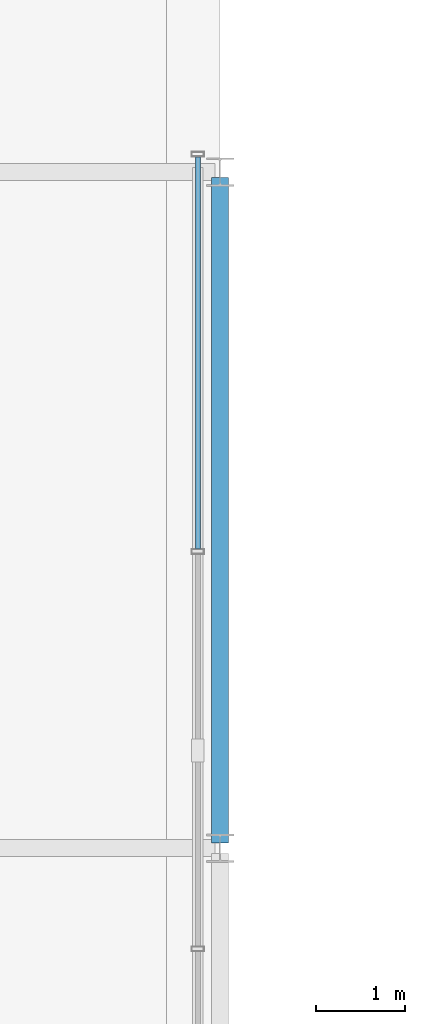
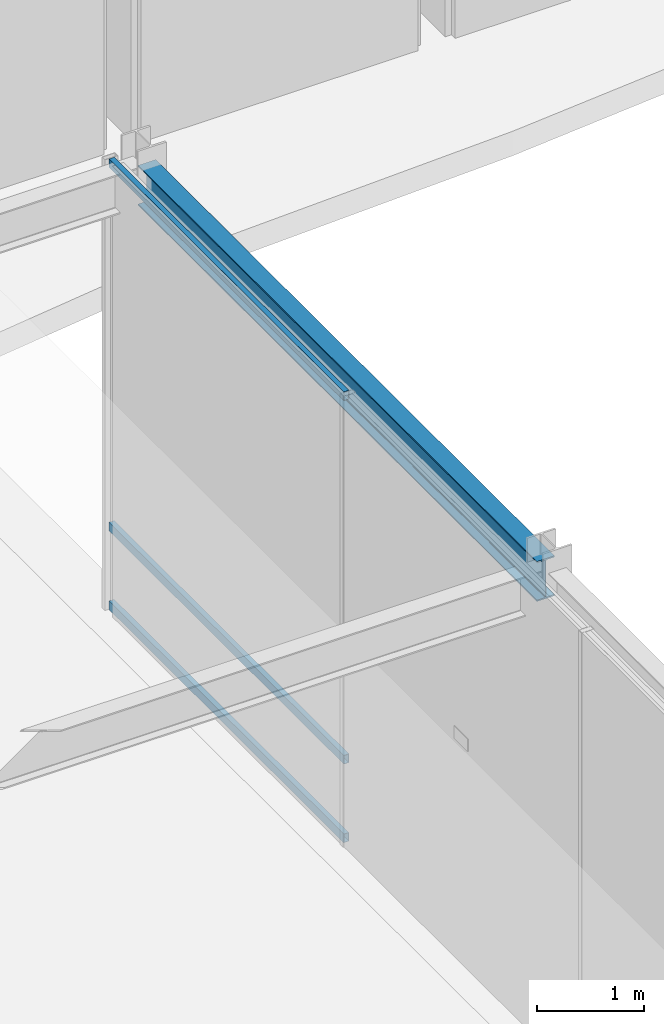
# One storey, part 34 of 157: 3 members, 1 beam, 1 element without a shape of its own.
"""IFC4 building model written with IfcOpenShell, lengths in metres."""

from ifc_helpers import new_model, si_unit, direction, frame, origin, origin_2d, place, context, subcontext, project, spatial, hollow_rectangle, i_section, extrude, material, material_profile, profile_set, type_object, element, aggregate, save


model = new_model("IFC4")

# Units and contexts
model_context = context("Model", 3, precision=1e-05, world=origin(), true_north=direction((0.0, 1.0)))
body_context = subcontext(model_context, "Body", "Model", "MODEL_VIEW")
ifc_project = project(units=[si_unit("LENGTHUNIT", "METRE"), si_unit("AREAUNIT", "SQUARE_METRE"), si_unit("VOLUMEUNIT", "CUBIC_METRE"), si_unit("PLANEANGLEUNIT", "RADIAN"), si_unit("MASSUNIT", "GRAM", prefix="KILO"), si_unit("THERMODYNAMICTEMPERATUREUNIT", "KELVIN"), si_unit("POWERUNIT", "WATT")], contexts=[model_context])

# Site, building, storey
site_placement = place(None, origin())
site = spatial("IfcSite", under=ifc_project, at=site_placement, CompositionType="ELEMENT")
building_placement = place(site_placement, origin())
building = spatial("IfcBuilding", under=site, at=building_placement, Name="Darbajah Civic Hall", CompositionType="ELEMENT")
storey_placement = place(building_placement, origin())
storey = spatial("IfcBuildingStorey", under=building, at=storey_placement, Name="L00", CompositionType="ELEMENT", Elevation=0.0)

# Curtain wall, members
ifc_material_1 = material(Name="Anodised Bronze Aluminium and Low-E Glazing", Category="aluminium")
curtain_wall_type = type_object("IfcCurtainWallType", Name="Unitised Curtain Wall CW-102 13400x5150", PredefinedType="USERDEFINED", material=ifc_material_1)
curtain_wall_placement = place(storey_placement, origin())
curtain_wall = element("IfcCurtainWall", 1, at=curtain_wall_placement, inside=storey, type_object=curtain_wall_type, Name="L00 unitised curtain wall CW-V6-PE-L00", ObjectType="UNITISED CURTAIN WALL", PredefinedType="USERDEFINED")
ifc_material_2 = material(Name="Anodised Bronze Aluminium", Category="aluminium")
ifc_material_profile_1 = material_profile(ifc_material_2, hollow_rectangle(XDim=0.054931640625, YDim=0.10009765625, WallThickness=0.0029296875, at=origin_2d()), Name="ALU TRANSOM 55x100")
ifc_profile_set_1 = profile_set([ifc_material_profile_1], Name="Anodised Bronze Aluminium")
member_type = type_object("IfcMemberType", Name="ALU TRANSOM 55x100", PredefinedType="USERDEFINED", material=ifc_profile_set_1)
member_1_placement = place(storey_placement, frame((93.949951171875, 51.36572265625, 0.050048828125), z_axis=(0.0, 1.0, 0.0), x_axis=(-1.0, 0.0, 0.0)))
member_1 = element("IfcMember", 2, at=member_1_placement, type_object=member_type, Name="CW-V6-PE-L00 transom 3.1", ObjectType="TRANSOM", PredefinedType="USERDEFINED", context=body_context, shape_type="SweptSolid", body=[
    extrude(hollow_rectangle(XDim=0.054931640625, YDim=0.10009765625, WallThickness=0.0029296875, at=origin_2d()), origin(), (0.0, 0.0, 1.0), 4.40185546875),
])
member_2_placement = place(storey_placement, frame((93.949951171875, 51.36572265625, 0.949951171875), z_axis=(0.0, 1.0, 0.0), x_axis=(-1.0, 0.0, 0.0)))
member_2 = element("IfcMember", 3, at=member_2_placement, type_object=member_type, Name="CW-V6-PE-L00 transom 3.2", ObjectType="TRANSOM", PredefinedType="USERDEFINED", context=body_context, shape_type="SweptSolid", body=[
    extrude(hollow_rectangle(XDim=0.054931640625, YDim=0.10009765625, WallThickness=0.0029296875, at=origin_2d()), origin(), (0.0, 0.0, 1.0), 4.40185546875),
])
member_3_placement = place(storey_placement, frame((93.949951171875, 51.36572265625, 5.110107421875), z_axis=(0.0, 1.0, 0.0), x_axis=(-1.0, 0.0, 0.0)))
member_3 = element("IfcMember", 4, at=member_3_placement, type_object=member_type, Name="CW-V6-PE-L00 transom 3.3", ObjectType="TRANSOM", PredefinedType="USERDEFINED", context=body_context, shape_type="SweptSolid", body=[
    extrude(hollow_rectangle(XDim=0.054931640625, YDim=0.10009765625, WallThickness=0.0029296875, at=origin_2d()), origin(), (0.0, 0.0, 1.0), 4.40185546875),
])
aggregate(curtain_wall, [member_1, member_2, member_3])

# Beam
ifc_material_3 = material(Name="Steel S355JR", Category="steel")
ifc_material_profile_2 = material_profile(ifc_material_3, i_section(OverallWidth=0.1904296875, OverallDepth=0.45703125, WebThickness=0.009033203125, FlangeThickness=0.014404296875, FilletRadius=0.01025390625, at=origin_2d()), Name="UB 457x191x74")
ifc_profile_set_2 = profile_set([ifc_material_profile_2], Name="Steel S355JR")
beam_type = type_object("IfcBeamType", Name="UB 457x191x74", PredefinedType="BEAM", material=ifc_profile_set_2)
beam_placement = place(storey_placement, frame((94.199951171875, 48.06005859375, 4.931396484375), z_axis=(0.0, 1.0, 0.0), x_axis=(-1.0, 0.0, 0.0)))
element("IfcBeam", 5, at=beam_placement, inside=storey, type_object=beam_type, Name="L00 beam SB-457", PredefinedType="BEAM", context=body_context, shape_type="SweptSolid", body=[
    extrude(i_section(OverallWidth=0.1904296875, OverallDepth=0.45703125, WebThickness=0.009033203125, FlangeThickness=0.014404296875, FilletRadius=0.01025390625, at=origin_2d()), origin(), (0.0, 0.0, 1.0), 7.47998046875),
])

save(model, "model.ifc")
